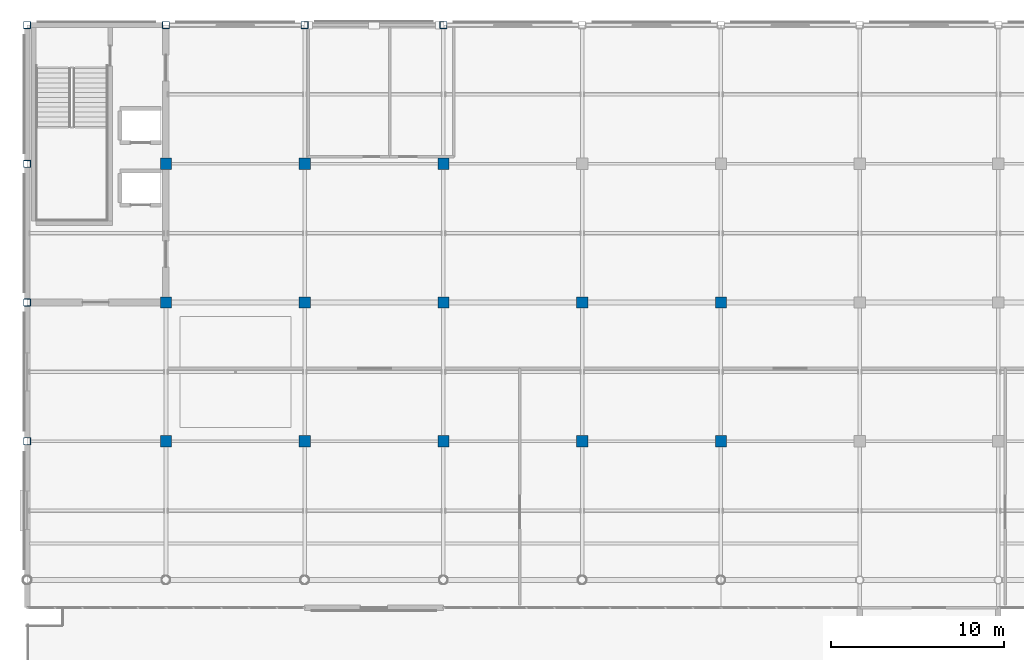
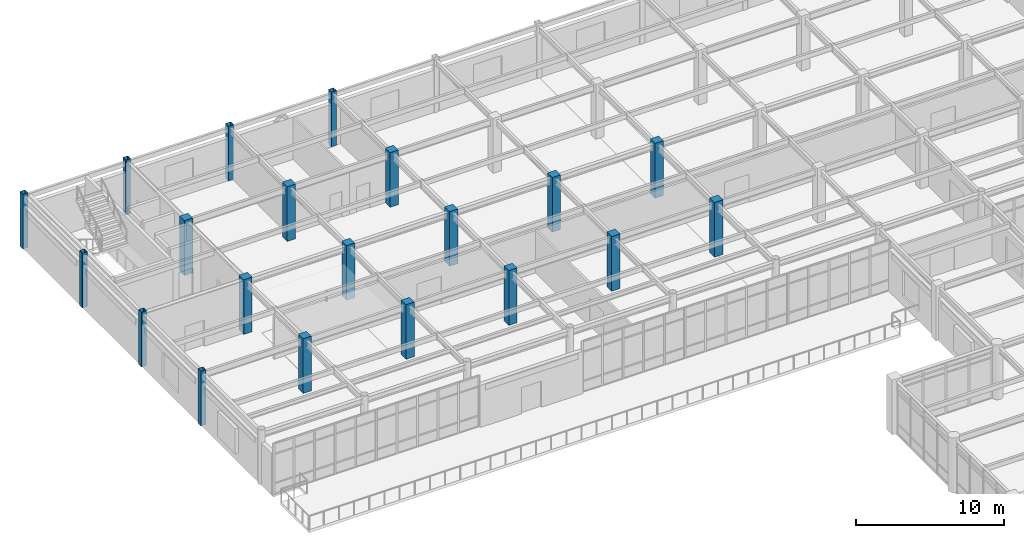
# One storey, part 10 of 93: 20 columns.
"""IFC4 building model written with IfcOpenShell, lengths in metres."""

from ifc_helpers import new_model, si_unit, direction, frame, origin, origin_2d, place, context, subcontext, project, spatial, rectangle, hollow_rectangle, extrude, material, material_profile, profile_set, type_object, element, save


model = new_model("IFC4")

# Units and contexts
model_context = context("Model", 3, precision=1e-05, world=origin(), true_north=direction((0.0, 1.0)))
body_context = subcontext(model_context, "Body", "Model", "MODEL_VIEW")
ifc_project = project(units=[si_unit("LENGTHUNIT", "METRE"), si_unit("AREAUNIT", "SQUARE_METRE"), si_unit("VOLUMEUNIT", "CUBIC_METRE"), si_unit("PLANEANGLEUNIT", "RADIAN"), si_unit("MASSUNIT", "GRAM", prefix="KILO")], contexts=[model_context])

# Site, building, storey
site_placement = place(None, origin())
site = spatial("IfcSite", under=ifc_project, at=site_placement, CompositionType="ELEMENT")
building_placement = place(site_placement, origin())
building = spatial("IfcBuilding", under=site, at=building_placement, Name="Solmirada Galleria", CompositionType="ELEMENT")
storey_placement = place(building_placement, frame((0.0, 0.0, 14.89990234375)))
storey = spatial("IfcBuildingStorey", under=building, at=storey_placement, Name="L03", CompositionType="ELEMENT", Elevation=14.89990234375)

# Columns
ifc_material_1 = material(Name="Steel S355 / ASTM A500 Grade C", Category="steel")
ifc_material_profile_1 = material_profile(ifc_material_1, hollow_rectangle(XDim=0.406005859375, YDim=0.406005859375, WallThickness=0.0146484375, InnerFilletRadius=0.0146484375, OuterFilletRadius=0.029296875, at=origin_2d()), Name="HSS16X16X5/8")
ifc_profile_set_1 = profile_set([ifc_material_profile_1], Name="Steel S355 / ASTM A500 Grade C")
column_type_1 = type_object("IfcColumnType", Name="COL-HSS16", PredefinedType="COLUMN", material=ifc_profile_set_1)
for number, where, z_axis, x_axis, name in (
    (1, (40.0, 96.0, 0.0), (0.0, 0.0, 1.0), (1.0, 0.0, 0.0), "Structural column L03-0056"),
    (2, (40.0, 104.0, 0.0), (0.0, 0.0, 1.0), (1.0, 0.0, 0.0), "Structural column L03-0063"),
    (3, (40.0, 112.0, 0.0), (0.0, 0.0, 1.0), (1.0, 0.0, 0.0), "Structural column L03-0070"),
    (4, (40.0, 120.0, 0.0), (0.0, 0.0, 1.0), (1.0, 0.0, 0.0), "Structural column L03-0077"),
    (5, (48.0, 120.0, 0.0), (0.0, 0.0, 1.0), (1.0, 0.0, 0.0), "Structural column L03-0144"),
    (6, (56.0, 120.0, 0.0), (0.0, 0.0, 1.0), (1.0, 0.0, 0.0), "Structural column L03-0211"),
    (7, (64.0, 120.0, 0.0), (0.0, 0.0, 1.0), (1.0, 0.0, 0.0), "Structural column L03-0275"),
):
    element("IfcColumn", number, at=place(storey_placement, frame(where, z_axis=z_axis, x_axis=x_axis)), inside=storey, type_object=column_type_1, Name=name, PredefinedType="COLUMN", context=body_context, shape_type="SweptSolid", body=[
        extrude(hollow_rectangle(XDim=0.406005859375, YDim=0.406005859375, WallThickness=0.0146484375, InnerFilletRadius=0.0146484375, OuterFilletRadius=0.029296875, at=origin_2d()), origin(), (0.0, 0.0, 1.0), 4.5),
    ])
ifc_material_2 = material(Name="Concrete C40/50", Category="concrete")
ifc_material_profile_2 = material_profile(ifc_material_2, rectangle(XDim=0.64990234375, YDim=0.64990234375, at=origin_2d()), Name="RC650X650")
ifc_profile_set_2 = profile_set([ifc_material_profile_2], Name="Concrete C40/50")
column_type_2 = type_object("IfcColumnType", Name="COL-RC650", PredefinedType="COLUMN", material=ifc_profile_set_2)
for number, where, z_axis, x_axis, name in (
    (8, (48.0, 96.0, 0.0), (0.0, 0.0, 1.0), (1.0, 0.0, 0.0), "Structural column L03-0123"),
    (9, (48.0, 104.0, 0.0), (0.0, 0.0, 1.0), (1.0, 0.0, 0.0), "Structural column L03-0130"),
    (10, (48.0, 112.0, 0.0), (0.0, 0.0, 1.0), (1.0, 0.0, 0.0), "Structural column L03-0137"),
    (11, (56.0, 96.0, 0.0), (0.0, 0.0, 1.0), (1.0, 0.0, 0.0), "Structural column L03-0190"),
    (12, (56.0, 104.0, 0.0), (0.0, 0.0, 1.0), (1.0, 0.0, 0.0), "Structural column L03-0197"),
    (13, (56.0, 112.0, 0.0), (0.0, 0.0, 1.0), (1.0, 0.0, 0.0), "Structural column L03-0204"),
    (14, (64.0, 96.0, 0.0), (0.0, 0.0, 1.0), (1.0, 0.0, 0.0), "Structural column L03-0254"),
    (15, (64.0, 104.0, 0.0), (0.0, 0.0, 1.0), (1.0, 0.0, 0.0), "Structural column L03-0261"),
    (16, (64.0, 112.0, 0.0), (0.0, 0.0, 1.0), (1.0, 0.0, 0.0), "Structural column L03-0268"),
    (17, (72.0, 96.0, 0.0), (0.0, 0.0, 1.0), (1.0, 0.0, 0.0), "Structural column L03-0321"),
    (18, (72.0, 104.0, 0.0), (0.0, 0.0, 1.0), (1.0, 0.0, 0.0), "Structural column L03-0328"),
    (19, (80.0, 96.0, 0.0), (0.0, 0.0, 1.0), (1.0, 0.0, 0.0), "Structural column L03-0438"),
    (20, (80.0, 104.0, 0.0), (0.0, 0.0, 1.0), (1.0, 0.0, 0.0), "Structural column L03-0445"),
):
    element("IfcColumn", number, at=place(storey_placement, frame(where, z_axis=z_axis, x_axis=x_axis)), inside=storey, type_object=column_type_2, Name=name, PredefinedType="COLUMN", context=body_context, shape_type="SweptSolid", body=[
        extrude(rectangle(XDim=0.64990234375, YDim=0.64990234375, at=origin_2d()), origin(), (0.0, 0.0, 1.0), 4.5),
    ])

save(model, "model.ifc")
